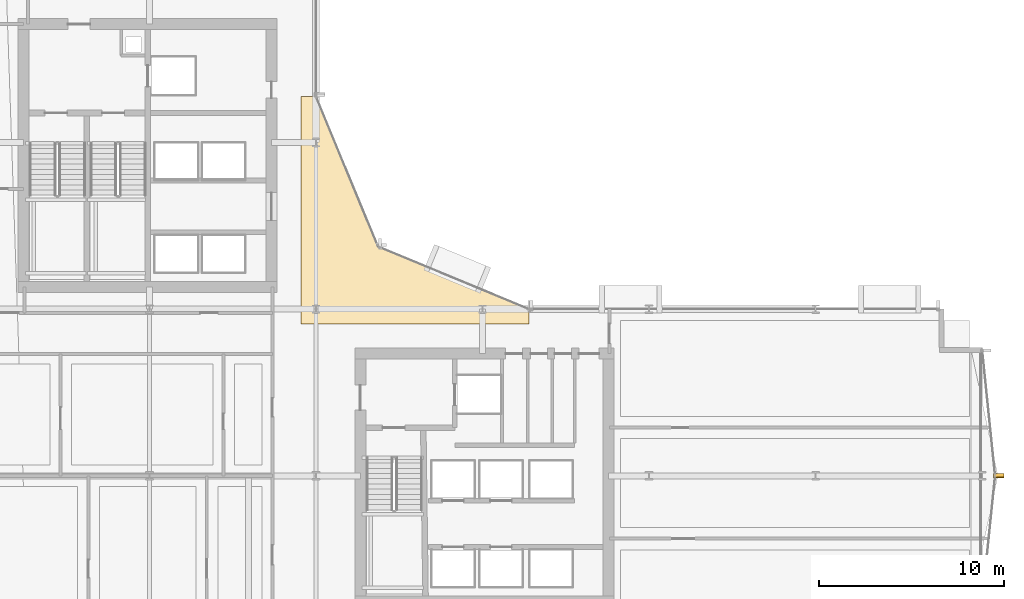
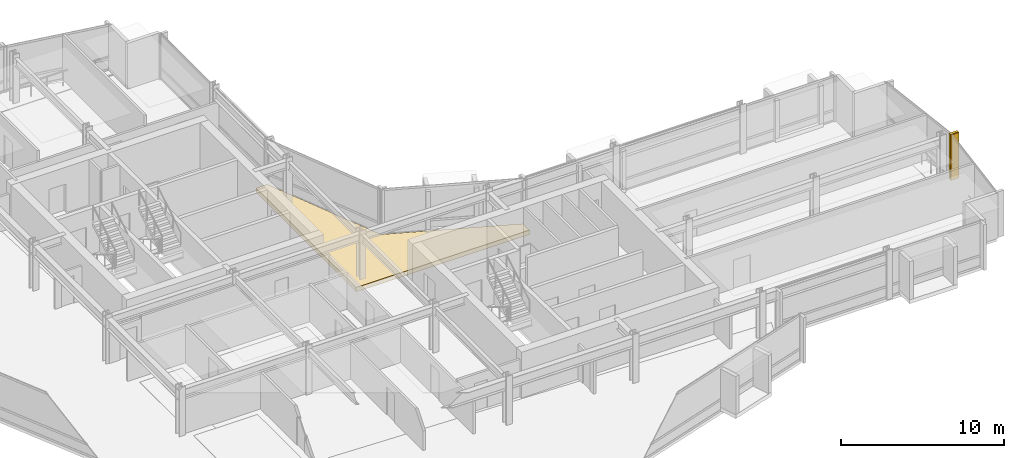
# One storey, part 34 of 34: 3 coverings.
"""IFC4 building model written with IfcOpenShell, lengths in metres."""

from ifc_helpers import new_model, si_unit, direction, frame, origin, origin_2d, place, context, subcontext, project, spatial, polyline, rectangle, outline, extrude, material, layer, layer_set, type_object, element, save


model = new_model("IFC4")

# Units and contexts
model_context = context("Model", 3, precision=1e-05, world=origin(), true_north=direction((0.0, 1.0)))
body_context = subcontext(model_context, "Body", "Model", "MODEL_VIEW")
ifc_project = project(units=[si_unit("LENGTHUNIT", "METRE"), si_unit("AREAUNIT", "SQUARE_METRE"), si_unit("VOLUMEUNIT", "CUBIC_METRE"), si_unit("PLANEANGLEUNIT", "RADIAN"), si_unit("MASSUNIT", "GRAM", prefix="KILO")], contexts=[model_context])

# Site, building, storey
site_placement = place(None, origin())
site = spatial("IfcSite", under=ifc_project, at=site_placement, CompositionType="ELEMENT")
building_placement = place(site_placement, origin())
building = spatial("IfcBuilding", under=site, at=building_placement, Name="Solvaryn Broadcast Tower", CompositionType="ELEMENT")
storey_placement = place(building_placement, frame((0.0, 0.0, 69.300048828125)))
storey = spatial("IfcBuildingStorey", under=building, at=storey_placement, Name="L16", CompositionType="ELEMENT", Elevation=69.300048828125)

# Coverings
ifc_material_1 = material(Name="Extruded Architectural Terracotta Fin", Category="masonry")
ifc_layer_1 = layer(ifc_material_1, 0.179931640625)
ifc_layer_set_1 = layer_set([ifc_layer_1], Name="CV-TC-FIN")
covering_type_1 = type_object("IfcCoveringType", Name="CV-TC-FIN", PredefinedType="USERDEFINED", material=ifc_layer_set_1)
for number, where, z_axis, x_axis, name in (
    (1, (63.884521484375, 18.02978515625, 0.0), (0.0, 0.0, 1.0), (1.0, 0.0, 0.0), "L16 Terracotta Vertical Fin FIN-L16-ET1-M01"),
    (2, (63.884521484375, 17.97021484375, 0.0), (0.0, 0.0, 1.0), (1.0, 0.0, 0.0), "L16 Terracotta Vertical Fin FIN-L16-ET2-M00"),
):
    element("IfcCovering", number, at=place(storey_placement, frame(where, z_axis=z_axis, x_axis=x_axis)), inside=storey, type_object=covering_type_1, Name=name, ObjectType="FIN", PredefinedType="USERDEFINED", context=body_context, shape_type="SweptSolid", body=[
        extrude(rectangle(XDim=0.580078125, YDim=0.179931640625, at=origin_2d()), origin(), (0.0, 0.0, 1.0), 3.419921875),
    ])
ifc_material_2 = material(Name="Sculpted Architectural Terracotta Wave Fascia", Category="masonry")
ifc_layer_2 = layer(ifc_material_2, 0.340087890625)
ifc_layer_set_2 = layer_set([ifc_layer_2], Name="CV-WAVE-TRAY")
covering_type_2 = type_object("IfcCoveringType", Name="CV-WAVE-TRAY", PredefinedType="CLADDING", material=ifc_layer_set_2)
covering_placement = place(storey_placement, frame((0.0, 0.0, -0.300048828125)))
element("IfcCovering", 3, at=covering_placement, inside=storey, type_object=covering_type_2, Name="L16 Concave Canyon Floor Apron", PredefinedType="CLADDING", context=body_context, shape_type="SweptSolid", body=[
    extrude(outline(polyline([(26.199951171875, 26.199951171875), (38.5, 26.199951171875), (38.5, 27.0), (30.367919921875, 30.367919921875), (27.0, 38.5), (26.199951171875, 38.5), (26.199951171875, 26.199951171875)])), origin(), (0.0, 0.0, 1.0), 0.330078125),
])

save(model, "model.ifc")
